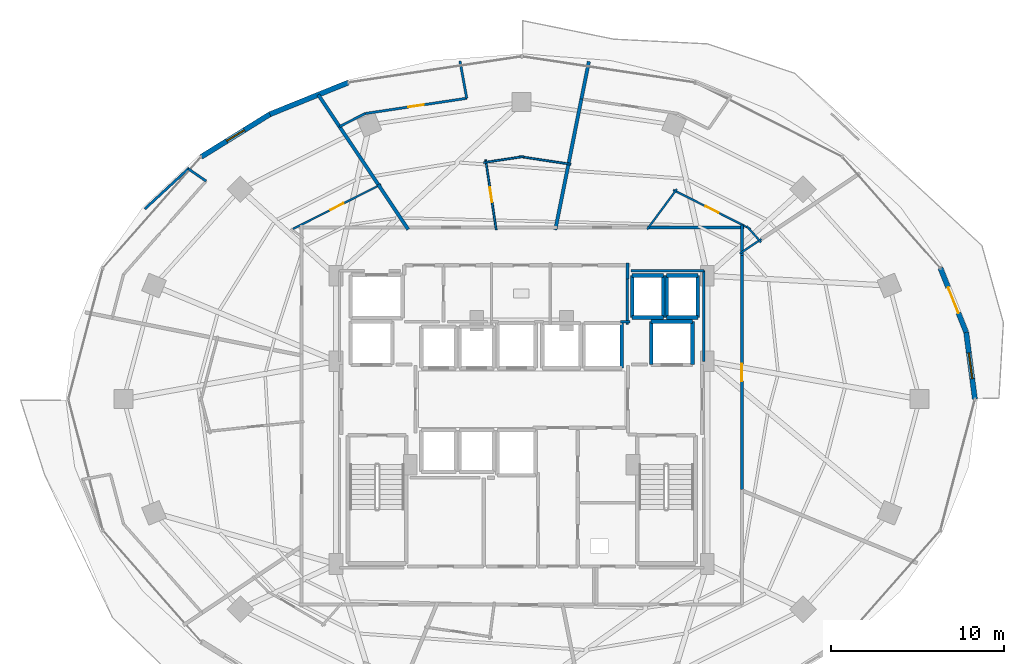
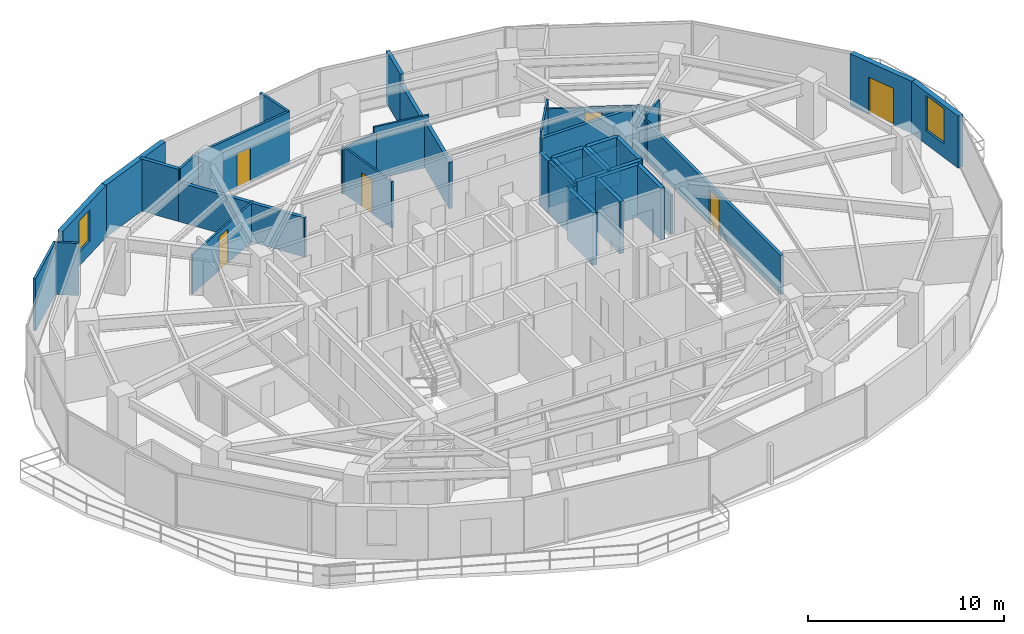
# One storey, part 26 of 30: 43 walls, 6 doors, 2 windows, 8 openings.
"""IFC4 building model written with IfcOpenShell, lengths in metres."""

import ifcopenshell
import ifcopenshell.guid

model = None  # the IFC model being written
_history = None  # IfcOwnerHistory: only IFC2X3 demands one
_inside = {}  # id of a spatial element -> (the spatial element, [elements in it])
_under = {}  # id of a project, library or spatial element -> (it, [spatial elements below it])
_declared = {}  # id of a project -> (the project, [libraries it declares])
_typed = {}  # id of a type object -> (the type object, [elements of that type])
_made_of = {}  # id of a material, layer set ... -> (it, [elements and type objects made of it])


def new_model(schema):
    """Start an empty IFC model of exactly this schema.

    Asked for "IFC4X3", IfcOpenShell would pick the latest addendum, in which some entities
    have other attributes; the version numbers below select the first issue.
    IFC2X3 requires an IfcOwnerHistory on every rooted entity: one is made here for all.
    """
    global model, _history
    if schema == "IFC4X3":
        model = ifcopenshell.file(schema_version=(4, 3, 0, 0))
    else:
        model = ifcopenshell.file(schema=schema)
    _inside.clear()
    _under.clear()
    _declared.clear()
    _typed.clear()
    _made_of.clear()
    _history = None
    if model.schema == "IFC2X3":
        org = make("IfcOrganization", Name="unknown")
        user = make(
            "IfcPersonAndOrganization",
            ThePerson=make("IfcPerson", FamilyName="unknown"),
            TheOrganization=org,
        )
        app = make(
            "IfcApplication",
            ApplicationDeveloper=org,
            Version="unknown",
            ApplicationFullName="unknown",
            ApplicationIdentifier="unknown",
        )
        _history = make(
            "IfcOwnerHistory",
            OwningUser=user,
            OwningApplication=app,
            ChangeAction="ADDED",
            CreationDate=0,
        )
    return model


def make(cls, **values):
    """One entity of the class cls with the attributes given. An attribute that is None is left unset."""
    return model.create_entity(
        cls, **{name: value for name, value in values.items() if value is not None}
    )


def rooted(cls, **values):
    """An entity with a GlobalId (a new one), such as an element, a storey or a relation."""
    return make(cls, GlobalId=ifcopenshell.guid.new(), OwnerHistory=_history, **values)


def si_unit(unit_type, name, prefix=None):
    """IfcSIUnit, for example si_unit("LENGTHUNIT", "METRE", prefix="MILLI")."""
    return make("IfcSIUnit", UnitType=unit_type, Prefix=prefix, Name=name)


def assignment(units):
    """IfcUnitAssignment: the units of a project."""
    return None if units is None else make("IfcUnitAssignment", Units=units)


def point(xyz):
    """IfcCartesianPoint."""
    return None if xyz is None else make("IfcCartesianPoint", Coordinates=xyz)


def direction(xyz):
    """IfcDirection."""
    return None if xyz is None else make("IfcDirection", DirectionRatios=xyz)


def frame(location, z_axis=None, x_axis=None):
    """IfcAxis2Placement3D, a coordinate frame: its origin and axes. An axis left out is left unset."""
    return make(
        "IfcAxis2Placement3D",
        Location=point(location),
        Axis=direction(z_axis),
        RefDirection=direction(x_axis),
    )


def frame_2d(location, x_axis=None):
    """IfcAxis2Placement2D, a coordinate frame in the plane: its origin and x axis."""
    return make(
        "IfcAxis2Placement2D", Location=point(location), RefDirection=direction(x_axis)
    )


def origin():
    """The frame at (0, 0, 0) with its axes left unset."""
    return frame((0.0, 0.0, 0.0))


def place(relative_to, where):
    """IfcLocalPlacement: puts the frame where relative to a parent placement (None: the world)."""
    return make(
        "IfcLocalPlacement", PlacementRelTo=relative_to, RelativePlacement=where
    )


def context(
    kind, dimensions, precision=None, world=None, true_north=None, identifier=None
):
    """IfcGeometricRepresentationContext, for example the 3D "Model" context."""
    return make(
        "IfcGeometricRepresentationContext",
        ContextIdentifier=identifier,
        ContextType=kind,
        CoordinateSpaceDimension=dimensions,
        Precision=precision,
        WorldCoordinateSystem=world,
        TrueNorth=true_north,
    )


def subcontext(parent, identifier, kind, view, scale=None):
    """IfcGeometricRepresentationSubContext, for example "Body" below "Model"."""
    return make(
        "IfcGeometricRepresentationSubContext",
        ContextIdentifier=identifier,
        ContextType=kind,
        ParentContext=parent,
        TargetScale=scale,
        TargetView=view,
    )


def project(units=None, contexts=None):
    """IfcProject with its units and contexts."""
    return rooted(
        "IfcProject",
        Name="project",
        RepresentationContexts=contexts,
        UnitsInContext=assignment(units),
    )


def spatial(cls, under=None, at=None, **own):
    """A site, building, storey or space (cls), placed at a placement, below another one or the project."""
    s = rooted(cls, ObjectPlacement=at, **own)
    if under is not None:
        _under.setdefault(under.id(), (under, []))[1].append(s)
    return s


def profile(cls, at=None, kind="AREA", **sizes):
    """A parametric profile (cls). Its sizes go by their IFC names, for example OverallWidth=200.0."""
    return make(cls, ProfileType=kind, Position=at, **sizes)


def rectangle(**sizes):
    """IfcRectangleProfileDef."""
    return profile("IfcRectangleProfileDef", **sizes)


def extrude(swept, where, along, depth):
    """IfcExtrudedAreaSolid: the profile swept, set in the frame where, extruded along a direction by depth."""
    return make(
        "IfcExtrudedAreaSolid",
        SweptArea=swept,
        Position=where,
        ExtrudedDirection=direction(along),
        Depth=depth,
    )


def shape(context_of_items, identifier, shape_type, items):
    """IfcShapeRepresentation: the items that make up one representation, for example the "Body"."""
    return make(
        "IfcShapeRepresentation",
        ContextOfItems=context_of_items,
        RepresentationIdentifier=identifier,
        RepresentationType=shape_type,
        Items=items,
    )


def material(Name=None, Category=None):
    """IfcMaterial."""
    return make("IfcMaterial", Name=Name, Category=Category)


def layer(
    of_material, thickness, ventilated=None, Name=None, Category=None, Priority=None
):
    """IfcMaterialLayer: one layer of a wall or slab, of a material (None: an air gap)."""
    return make(
        "IfcMaterialLayer",
        Material=of_material,
        LayerThickness=thickness,
        IsVentilated=ventilated,
        Name=Name,
        Category=Category,
        Priority=Priority,
    )


def layer_set(layers, Name=None):
    """IfcMaterialLayerSet."""
    return make("IfcMaterialLayerSet", MaterialLayers=layers, LayerSetName=Name)


def made_of(thing, what):
    """Note that an element or type object is made of a material, layer set ...; save() writes the relation."""
    if what is not None:
        _made_of.setdefault(what.id(), (what, []))[1].append(thing)
    return thing


def type_object(cls, material=None, **own):
    """A type object (cls), such as IfcWallType, which elements share."""
    return made_of(rooted(cls, **own), material)


def element(
    cls,
    number,
    at=None,
    inside=None,
    cuts=None,
    type_object=None,
    material=None,
    context=None,
    identifier="Body",
    shape_type=None,
    held_by="IfcProductDefinitionShape",
    body=None,
    shapes=None,
    **own,
):
    """One element of the class cls, such as IfcWall. Its Tag is "e" and its number.

    at: its placement. inside: the storey or other place that contains it. cuts: it is an
    opening in that element (IfcRelVoidsElement). A single representation is given by context,
    identifier, shape_type and body (its items); several are given by shapes. held_by: the class
    of the entity that holds the representations. save() writes the other relations.
    """
    e = rooted(cls, Tag="e%d" % number, ObjectPlacement=at, **own)
    if body is not None:
        shapes = [shape(context, identifier, shape_type, body)]
    if shapes is not None:
        e.Representation = make(held_by, Representations=shapes)
    if inside is not None:
        _inside.setdefault(inside.id(), (inside, []))[1].append(e)
    if cuts is not None:
        rooted(
            "IfcRelVoidsElement", RelatingBuildingElement=cuts, RelatedOpeningElement=e
        )
    if type_object is not None:
        _typed.setdefault(type_object.id(), (type_object, []))[1].append(e)
    return made_of(e, material)


def fill(opening, filler):
    """IfcRelFillsElement: the door or window that sits in an opening."""
    return rooted(
        "IfcRelFillsElement",
        RelatingOpeningElement=opening,
        RelatedBuildingElement=filler,
    )


def aggregate(whole, parts):
    """IfcRelAggregates: a whole, such as a stair, and the parts it consists of."""
    return rooted("IfcRelAggregates", RelatingObject=whole, RelatedObjects=parts)


def save(model, path):
    """Write the relations noted so far, then the file.

    IfcRelAggregates (storeys below a building ...), IfcRelContainedInSpatialStructure (elements
    in a storey), IfcRelDefinesByType, IfcRelAssociatesMaterial and IfcRelDeclares: one each for
    every whole, place, type object, material and project.
    """
    for whole, parts in _under.values():
        aggregate(whole, parts)
    for where, things in _inside.values():
        rooted(
            "IfcRelContainedInSpatialStructure",
            RelatedElements=things,
            RelatingStructure=where,
        )
    for kind, things in _typed.values():
        rooted("IfcRelDefinesByType", RelatedObjects=things, RelatingType=kind)
    for what, things in _made_of.values():
        rooted("IfcRelAssociatesMaterial", RelatedObjects=things, RelatingMaterial=what)
    for by, libraries in _declared.values():
        rooted("IfcRelDeclares", RelatingContext=by, RelatedDefinitions=libraries)
    model.write(path)


model = new_model("IFC4")

# Units and contexts
model_context = context("Model", 3, precision=1e-05, world=origin(), true_north=direction((0.0, 1.0)))
body_context = subcontext(model_context, "Body", "Model", "MODEL_VIEW")
ifc_project = project(units=[si_unit("LENGTHUNIT", "METRE"), si_unit("AREAUNIT", "SQUARE_METRE"), si_unit("VOLUMEUNIT", "CUBIC_METRE"), si_unit("PLANEANGLEUNIT", "RADIAN"), si_unit("MASSUNIT", "GRAM", prefix="KILO")], contexts=[model_context])

# Site, building, storey
site_placement = place(None, origin())
site = spatial("IfcSite", under=ifc_project, at=site_placement, CompositionType="ELEMENT")
building_placement = place(site_placement, origin())
building = spatial("IfcBuilding", under=site, at=building_placement, Name="Vorneva Point Tower", CompositionType="ELEMENT")
storey_placement = place(building_placement, frame((0.0, 0.0, 78.800048828125)))
storey = spatial("IfcBuildingStorey", under=building, at=storey_placement, Name="L20", CompositionType="ELEMENT", Elevation=78.800048828125)

# Walls
ifc_material_1 = material(Name="Concrete B60 (C50/60)", Category="concrete")
ifc_layer_1 = layer(ifc_material_1, 0.5)
ifc_layer_set_1 = layer_set([ifc_layer_1], Name="Concrete B60 (C50/60)")
wall_type_1 = type_object("IfcWallType", Name="WL-CORE-500", PredefinedType="SHEAR", material=ifc_layer_set_1)
wall_1_placement = place(storey_placement, frame((47.89990234375, 28.0, 0.0), z_axis=(0.0, 0.0, 1.0), x_axis=(0.0, 1.0, 0.0)))
element("IfcWall", 1, at=wall_1_placement, inside=storey, type_object=wall_type_1, Name="L20 Lift FFL2 Shaft Wall +X", PredefinedType="SHEAR", context=body_context, shape_type="SweptSolid", body=[
    extrude(rectangle(XDim=2.5, YDim=0.219970703125, at=frame_2d((1.25, 0.0))), origin(), (0.0, 0.0, 1.0), 3.239990234375),
])
wall_2_placement = place(storey_placement, frame((47.89990234375, 30.5, 0.0), z_axis=(0.0, 0.0, 1.0), x_axis=(-1.0, 0.0, 0.0)))
element("IfcWall", 2, at=wall_2_placement, inside=storey, type_object=wall_type_1, Name="L20 Lift FFL2 Shaft Wall +Y", PredefinedType="SHEAR", context=body_context, shape_type="SweptSolid", body=[
    extrude(rectangle(XDim=2.39990234375, YDim=0.219970703125, at=frame_2d((1.199951171875, 0.0))), origin(), (0.0, 0.0, 1.0), 3.239990234375),
])
wall_3_placement = place(storey_placement, frame((45.5, 30.5, 0.0), z_axis=(0.0, 0.0, 1.0), x_axis=(0.0, -1.0, 0.0)))
element("IfcWall", 3, at=wall_3_placement, inside=storey, type_object=wall_type_1, Name="L20 Lift FFL2 Shaft Wall -X", PredefinedType="SHEAR", context=body_context, shape_type="SweptSolid", body=[
    extrude(rectangle(XDim=2.5, YDim=0.219970703125, at=frame_2d((1.25, 0.0))), origin(), (0.0, 0.0, 1.0), 3.239990234375),
])

# Wall, opening, window
ifc_material_2 = material(Name="Precast concrete B50 (C40/50)", Category="concrete")
ifc_layer_2 = layer(ifc_material_2, 0.300048828125)
ifc_layer_set_2 = layer_set([ifc_layer_2], Name="Precast concrete B50 (C40/50)")
wall_type_2 = type_object("IfcWallType", Name="WL-EXT-300", PredefinedType="STANDARD", material=ifc_layer_set_2)
wall_4_placement = place(storey_placement, frame((64.25, 26.0, 0.0), z_axis=(0.0, 0.0, 1.0), x_axis=(-0.129157444793, 0.991624099372, 0.0)))
wall_4 = element("IfcWall", 4, at=wall_4_placement, inside=storey, type_object=wall_type_2, Name="L20 Pale-Metal Facade Spandrel Wall 01.1", PredefinedType="STANDARD", context=body_context, shape_type="SweptSolid", body=[
    extrude(rectangle(XDim=3.9052734375, YDim=0.300048828125, at=frame_2d((1.95263671875, 0.0))), origin(), (0.0, 0.0, 1.0), 3.239990234375),
])
opening_1_placement = place(wall_4_placement, frame((1.20263671875, 0.0, 0.85009765625)))
opening_1 = element("IfcOpeningElement", 5, at=opening_1_placement, cuts=wall_4, Name="Opening W-02", PredefinedType="OPENING", context=body_context, shape_type="SweptSolid", body=[
    extrude(rectangle(XDim=1.5, YDim=2.18994140625, at=frame_2d((0.75, 1.094970703125))), frame((0.0, 0.1650390625, 0.0), z_axis=(0.0, -1.0, 0.0), x_axis=(1.0, 0.0, 0.0)), (0.0, 0.0, 1.0), 0.329833984375),
])
ifc_material_3 = material(Name="Double low-e laminated glass IGU", Category="glass")
window_type_1 = type_object("IfcWindowType", Name="WN-HTL-1500", PartitioningType="SINGLE_PANEL", PredefinedType="WINDOW", material=ifc_material_3)
window_1_placement = place(opening_1_placement, origin())
window_1 = element("IfcWindow", 6, at=window_1_placement, inside=storey, type_object=window_type_1, Name="L20 Facade Window 01", OverallHeight=2.18994140625, OverallWidth=1.5, PartitioningType="SINGLE_PANEL", PredefinedType="WINDOW", context=body_context, shape_type="SweptSolid", body=[
    extrude(rectangle(XDim=1.5, YDim=2.18994140625, at=frame_2d((0.75, 1.094970703125))), frame((0.0, 0.030029296875, 0.0), z_axis=(0.0, -1.0, 0.0), x_axis=(1.0, 0.0, 0.0)), (0.0, 0.0, 1.0), 0.06005859375),
])
fill(opening_1, window_1)

# Wall, opening, door
wall_5_placement = place(storey_placement, frame((63.74560546875, 29.87255859375, 0.0), z_axis=(0.0, 0.0, 1.0), x_axis=(-0.372345205928, 0.92809430966, 0.0)))
wall_5 = element("IfcWall", 7, at=wall_5_placement, inside=storey, type_object=wall_type_2, Name="L20 Pale-Metal Facade Spandrel Wall 01.2", PredefinedType="STANDARD", context=body_context, shape_type="SweptSolid", body=[
    extrude(rectangle(XDim=4.01220703125, YDim=0.300048828125, at=frame_2d((2.006103515625, 0.0))), origin(), (0.0, 0.0, 1.0), 3.239990234375),
])
opening_2_placement = place(wall_5_placement, frame((1.2060546875, 0.0, 0.0)))
opening_2 = element("IfcOpeningElement", 8, at=opening_2_placement, cuts=wall_5, Name="Opening BD-01", PredefinedType="OPENING", context=body_context, shape_type="SweptSolid", body=[
    extrude(rectangle(XDim=1.60009765625, YDim=2.300048828125, at=frame_2d((0.800048828125, 1.14990234375))), frame((0.0, 0.1650390625, 0.0), z_axis=(0.0, -1.0, 0.0), x_axis=(1.0, 0.0, 0.0)), (0.0, 0.0, 1.0), 0.329833984375),
])
ifc_material_4 = material(Name="Pale anodised aluminium", Category="aluminium")
door_type_1 = type_object("IfcDoorType", Name="DR-BAL-1600", OperationType="SLIDING_TO_LEFT", PredefinedType="DOOR", material=ifc_material_4)
door_1_placement = place(opening_2_placement, origin())
door_1 = element("IfcDoor", 9, at=door_1_placement, inside=storey, type_object=door_type_1, Name="L20 Balcony Terrace Access Door 01", OperationType="SLIDING_TO_LEFT", OverallHeight=2.300048828125, OverallWidth=1.60009765625, PredefinedType="DOOR", context=body_context, shape_type="SweptSolid", body=[
    extrude(rectangle(XDim=1.60009765625, YDim=2.300048828125, at=frame_2d((0.800048828125, 1.14990234375))), frame((0.0, 0.02490234375, 0.0), z_axis=(0.0, -1.0, 0.0), x_axis=(1.0, 0.0, 0.0)), (0.0, 0.0, 1.0), 0.050048828125),
])
fill(opening_2, door_1)

# Wall
wall_6_placement = place(storey_placement, frame((27.95458984375, 44.339111328125, 0.0), z_axis=(0.0, 0.0, 1.0), x_axis=(-0.927122233109, -0.374759075775, 0.0)))
element("IfcWall", 10, at=wall_6_placement, inside=storey, type_object=wall_type_2, Name="L20 Pale-Metal Facade Spandrel Wall 06.1", PredefinedType="STANDARD", context=body_context, shape_type="SweptSolid", body=[
    extrude(rectangle(XDim=4.89501953125, YDim=0.300048828125, at=frame_2d((2.447509765625, 0.0))), origin(), (0.0, 0.0, 1.0), 3.239990234375),
])

# Wall, opening, window
wall_7_placement = place(storey_placement, frame((23.416259765625, 42.504638671875, 0.0), z_axis=(0.0, 0.0, 1.0), x_axis=(-0.849684479743, -0.527291461038, 0.0)))
wall_7 = element("IfcWall", 11, at=wall_7_placement, inside=storey, type_object=wall_type_2, Name="L20 Pale-Metal Facade Spandrel Wall 06.2", PredefinedType="STANDARD", context=body_context, shape_type="SweptSolid", body=[
    extrude(rectangle(XDim=4.681396484375, YDim=0.300048828125, at=frame_2d((2.3408203125, 0.0))), origin(), (0.0, 0.0, 1.0), 3.239990234375),
])
opening_3_placement = place(wall_7_placement, frame((1.74072265625, 0.0, 0.85009765625)))
opening_3 = element("IfcOpeningElement", 12, at=opening_3_placement, cuts=wall_7, Name="Opening W-04", PredefinedType="OPENING", context=body_context, shape_type="SweptSolid", body=[
    extrude(rectangle(XDim=1.199951171875, YDim=1.949951171875, at=frame_2d((0.60009765625, 0.97509765625))), frame((0.0, 0.1650390625, 0.0), z_axis=(0.0, -1.0, 0.0), x_axis=(1.0, 0.0, 0.0)), (0.0, 0.0, 1.0), 0.329833984375),
])
window_type_2 = type_object("IfcWindowType", Name="WN-RES-1200", PartitioningType="SINGLE_PANEL", PredefinedType="WINDOW", material=ifc_material_3)
window_2_placement = place(opening_3_placement, origin())
window_2 = element("IfcWindow", 13, at=window_2_placement, inside=storey, type_object=window_type_2, Name="L20 Dwelling Vision Window 01", OverallHeight=1.949951171875, OverallWidth=1.199951171875, PartitioningType="SINGLE_PANEL", PredefinedType="WINDOW", context=body_context, shape_type="SweptSolid", body=[
    extrude(rectangle(XDim=1.199951171875, YDim=1.949951171875, at=frame_2d((0.60009765625, 0.97509765625))), frame((0.0, 0.030029296875, 0.0), z_axis=(0.0, -1.0, 0.0), x_axis=(1.0, 0.0, 0.0)), (0.0, 0.0, 1.0), 0.06005859375),
])
fill(opening_3, window_2)

# Wall
ifc_material_5 = material(Name="Fire-rated acoustic gypsum stud partition", Category="gypsum")
ifc_layer_3 = layer(ifc_material_5, 0.110107421875)
ifc_layer_set_3 = layer_set([ifc_layer_3], Name="Fire-rated acoustic gypsum stud partition")
wall_type_3 = type_object("IfcWallType", Name="WL-PART-110", PredefinedType="PARTITIONING", material=ifc_layer_set_3)
wall_8_placement = place(storey_placement, frame((45.265869140625, 35.83740234375, 0.0), z_axis=(0.0, 0.0, 1.0), x_axis=(0.594069015324, 0.804414075605, 0.0)))
element("IfcWall", 14, at=wall_8_placement, inside=storey, type_object=wall_type_3, Name="L20 Interior Partition 047", PredefinedType="PARTITIONING", context=body_context, shape_type="SweptSolid", body=[
    extrude(rectangle(XDim=2.8994140625, YDim=0.110107421875, at=frame_2d((1.44970703125, 0.0))), origin(), (0.0, 0.0, 1.0), 2.921875),
])

# Wall, opening, door
wall_9_placement = place(storey_placement, frame((46.780029296875, 38.1201171875, 0.0), z_axis=(0.0, 0.0, 1.0), x_axis=(0.892517538434, -0.451012686726, 0.0)))
wall_9 = element("IfcWall", 15, at=wall_9_placement, inside=storey, type_object=wall_type_3, Name="L20 Interior Partition 048", PredefinedType="PARTITIONING", context=body_context, shape_type="SweptSolid", body=[
    extrude(rectangle(XDim=5.007080078125, YDim=0.110107421875, at=frame_2d((2.50341796875, 0.0))), origin(), (0.0, 0.0, 1.0), 2.431884765625),
])
opening_4_placement = place(wall_9_placement, frame((2.07861328125, 0.0, 0.0)))
opening_4 = element("IfcOpeningElement", 16, at=opening_4_placement, cuts=wall_9, Name="Opening ID-02", PredefinedType="OPENING", context=body_context, shape_type="SweptSolid", body=[
    extrude(rectangle(XDim=0.85009765625, YDim=2.10009765625, at=frame_2d((0.425048828125, 1.050048828125))), frame((0.0, 0.06982421875, 0.0), z_axis=(0.0, -1.0, 0.0), x_axis=(1.0, 0.0, 0.0)), (0.0, 0.0, 1.0), 0.139892578125),
])
ifc_material_6 = material(Name="Engineered oak fire-rated door leaf", Category="wood")
door_type_2 = type_object("IfcDoorType", Name="DR-BATH-850", OperationType="NOTDEFINED", PredefinedType="DOOR", material=ifc_material_6)
door_2_placement = place(opening_4_placement, origin())
door_2 = element("IfcDoor", 17, at=door_2_placement, inside=storey, type_object=door_type_2, Name="L20 Door Corner Suite L20-01 / En-Suite Bathroom L20-01", OperationType="SINGLE_SWING_LEFT", OverallHeight=2.10009765625, OverallWidth=0.85009765625, PredefinedType="DOOR", context=body_context, shape_type="SweptSolid", body=[
    extrude(rectangle(XDim=0.85009765625, YDim=2.10009765625, at=frame_2d((0.425048828125, 1.050048828125))), frame((0.0, 0.02490234375, 0.0), z_axis=(0.0, -1.0, 0.0), x_axis=(1.0, 0.0, 0.0)), (0.0, 0.0, 1.0), 0.050048828125),
])
fill(opening_4, door_2)

# Walls
wall_10_placement = place(storey_placement, frame((51.03125, 36.02978515625, 0.0), z_axis=(0.0, 0.0, 1.0), x_axis=(0.661996266618, -0.749507133377, 0.0)))
element("IfcWall", 18, at=wall_10_placement, inside=storey, type_object=wall_type_3, Name="L20 Interior Partition 049", PredefinedType="PARTITIONING", context=body_context, shape_type="SweptSolid", body=[
    extrude(rectangle(XDim=1.249755859375, YDim=0.110107421875, at=frame_2d((0.625, 0.0))), origin(), (0.0, 0.0, 1.0), 2.431884765625),
])
wall_11_placement = place(storey_placement, frame((51.88232421875, 35.27587890625, 0.0), z_axis=(0.0, 0.0, 1.0), x_axis=(-0.831374526136, -0.555712513169, 0.0)))
element("IfcWall", 19, at=wall_11_placement, inside=storey, type_object=wall_type_3, Name="L20 Interior Partition 050", PredefinedType="PARTITIONING", context=body_context, shape_type="SweptSolid", body=[
    extrude(rectangle(XDim=1.501953125, YDim=0.110107421875, at=frame_2d((0.7509765625, 0.0))), origin(), (0.0, 0.0, 1.0), 2.921875),
])

# Wall, opening, door
wall_12_placement = place(storey_placement, frame((36.52490234375, 35.8115234375, 0.0), z_axis=(0.0, 0.0, 1.0), x_axis=(-0.148739497936, 0.988876413792, 0.0)))
wall_12 = element("IfcWall", 20, at=wall_12_placement, inside=storey, type_object=wall_type_3, Name="L20 Interior Partition 059", PredefinedType="PARTITIONING", context=body_context, shape_type="SweptSolid", body=[
    extrude(rectangle(XDim=4.0986328125, YDim=0.110107421875, at=frame_2d((2.04931640625, 0.0))), origin(), (0.0, 0.0, 1.0), 2.8740234375),
])
opening_5_placement = place(wall_12_placement, frame((1.624267578125, 0.0, 0.0)))
opening_5 = element("IfcOpeningElement", 21, at=opening_5_placement, cuts=wall_12, Name="Opening ID-02", PredefinedType="OPENING", context=body_context, shape_type="SweptSolid", body=[
    extrude(rectangle(XDim=0.85009765625, YDim=2.10009765625, at=frame_2d((0.425048828125, 1.050048828125))), frame((0.0, 0.06982421875, 0.0), z_axis=(0.0, -1.0, 0.0), x_axis=(1.0, 0.0, 0.0)), (0.0, 0.0, 1.0), 0.139892578125),
])
door_3_placement = place(opening_5_placement, origin())
door_3 = element("IfcDoor", 22, at=door_3_placement, inside=storey, type_object=door_type_2, Name="L20 Door Junior Suite L20-02 / En-Suite Bathroom L20-02", OperationType="SINGLE_SWING_LEFT", OverallHeight=2.10009765625, OverallWidth=0.85009765625, PredefinedType="DOOR", context=body_context, shape_type="SweptSolid", body=[
    extrude(rectangle(XDim=0.85009765625, YDim=2.10009765625, at=frame_2d((0.425048828125, 1.050048828125))), frame((0.0, 0.02490234375, 0.0), z_axis=(0.0, -1.0, 0.0), x_axis=(1.0, 0.0, 0.0)), (0.0, 0.0, 1.0), 0.050048828125),
])
fill(opening_5, door_3)

# Walls
wall_13_placement = place(storey_placement, frame((35.797607421875, 39.705078125, 0.0), z_axis=(0.0, 0.0, 1.0), x_axis=(0.988893947493, 0.148622880511, 0.0)))
element("IfcWall", 23, at=wall_13_placement, inside=storey, type_object=wall_type_3, Name="L20 Interior Partition 060", PredefinedType="PARTITIONING", context=body_context, shape_type="SweptSolid", body=[
    extrude(rectangle(XDim=2.3671875, YDim=0.110107421875, at=frame_2d((1.18359375, 0.0))), origin(), (0.0, 0.0, 1.0), 2.8740234375),
])
wall_14_placement = place(storey_placement, frame((37.861572265625, 40.056884765625, 0.0), z_axis=(0.0, 0.0, 1.0), x_axis=(0.988861549405, -0.148838288446, 0.0)))
element("IfcWall", 24, at=wall_14_placement, inside=storey, type_object=wall_type_3, Name="L20 Interior Partition 061", PredefinedType="PARTITIONING", context=body_context, shape_type="SweptSolid", body=[
    extrude(rectangle(XDim=3.021484375, YDim=0.110107421875, at=frame_2d((1.5107421875, 0.0))), origin(), (0.0, 0.0, 1.0), 3.239990234375),
])

# Wall, opening, door
wall_15_placement = place(storey_placement, frame((24.7509765625, 35.86181640625, 0.0), z_axis=(0.0, 0.0, 1.0), x_axis=(0.892506436774, 0.451034655339, 0.0)))
wall_15 = element("IfcWall", 25, at=wall_15_placement, inside=storey, type_object=wall_type_3, Name="L20 Interior Partition 069", PredefinedType="PARTITIONING", context=body_context, shape_type="SweptSolid", body=[
    extrude(rectangle(XDim=5.71875, YDim=0.110107421875, at=frame_2d((2.859375, 0.0))), origin(), (0.0, 0.0, 1.0), 2.431884765625),
])
opening_6_placement = place(wall_15_placement, frame((2.434326171875, 0.0, 0.0)))
opening_6 = element("IfcOpeningElement", 26, at=opening_6_placement, cuts=wall_15, Name="Opening ID-02", PredefinedType="OPENING", context=body_context, shape_type="SweptSolid", body=[
    extrude(rectangle(XDim=0.85009765625, YDim=2.10009765625, at=frame_2d((0.425048828125, 1.050048828125))), frame((0.0, 0.06982421875, 0.0), z_axis=(0.0, -1.0, 0.0), x_axis=(1.0, 0.0, 0.0)), (0.0, 0.0, 1.0), 0.139892578125),
])
door_4_placement = place(opening_6_placement, origin())
door_4 = element("IfcDoor", 27, at=door_4_placement, inside=storey, type_object=door_type_2, Name="L20 Door Executive Suite L20-03 / En-Suite Bathroom L20-03", OperationType="SINGLE_SWING_LEFT", OverallHeight=2.10009765625, OverallWidth=0.85009765625, PredefinedType="DOOR", context=body_context, shape_type="SweptSolid", body=[
    extrude(rectangle(XDim=0.85009765625, YDim=2.10009765625, at=frame_2d((0.425048828125, 1.050048828125))), frame((0.0, 0.02490234375, 0.0), z_axis=(0.0, -1.0, 0.0), x_axis=(1.0, 0.0, 0.0)), (0.0, 0.0, 1.0), 0.050048828125),
])
fill(opening_6, door_4)

# Wall
ifc_layer_4 = layer(ifc_material_5, 0.139892578125)
ifc_layer_set_4 = layer_set([ifc_layer_4], Name="Fire-rated acoustic gypsum stud partition")
wall_type_4 = type_object("IfcWallType", Name="WL-PART-140", PredefinedType="PARTITIONING", material=ifc_layer_set_4)
wall_16_placement = place(storey_placement, frame((34.424072265625, 45.5830078125, 0.0), z_axis=(0.0, 0.0, 1.0), x_axis=(0.179405454878, -0.983775219631, 0.0)))
element("IfcWall", 28, at=wall_16_placement, inside=storey, type_object=wall_type_4, Name="L20 Interior Partition 062", PredefinedType="PARTITIONING", context=body_context, shape_type="SweptSolid", body=[
    extrude(rectangle(XDim=2.189697265625, YDim=0.139892578125, at=frame_2d((1.0947265625, 0.0))), origin(), (0.0, 0.0, 1.0), 3.239990234375),
])

# Wall, opening, door
wall_17_placement = place(storey_placement, frame((34.81689453125, 43.428955078125, 0.0), z_axis=(0.0, 0.0, 1.0), x_axis=(-0.988882066939, -0.14870190882, 0.0)))
wall_17 = element("IfcWall", 29, at=wall_17_placement, inside=storey, type_object=wall_type_4, Name="L20 Interior Partition 063", PredefinedType="PARTITIONING", context=body_context, shape_type="SweptSolid", body=[
    extrude(rectangle(XDim=5.945068359375, YDim=0.139892578125, at=frame_2d((2.97265625, 0.0))), origin(), (0.0, 0.0, 1.0), 3.239990234375),
])
opening_7_placement = place(wall_17_placement, frame((2.5224609375, 0.0, 0.0)))
opening_7 = element("IfcOpeningElement", 30, at=opening_7_placement, cuts=wall_17, Name="Opening ID-01", PredefinedType="OPENING", context=body_context, shape_type="SweptSolid", body=[
    extrude(rectangle(XDim=0.89990234375, YDim=2.10009765625, at=frame_2d((0.449951171875, 1.050048828125))), frame((0.0, 0.0849609375, 0.0), z_axis=(0.0, -1.0, 0.0), x_axis=(1.0, 0.0, 0.0)), (0.0, 0.0, 1.0), 0.169677734375),
])
door_type_3 = type_object("IfcDoorType", Name="DR-ROOM-900", OperationType="NOTDEFINED", PredefinedType="DOOR", material=ifc_material_6)
door_5_placement = place(opening_7_placement, origin())
door_5 = element("IfcDoor", 31, at=door_5_placement, inside=storey, type_object=door_type_3, Name="L20 Door Junior Suite L20-02 / Suite Sitting Study L20-02", OperationType="SINGLE_SWING_RIGHT", OverallHeight=2.10009765625, OverallWidth=0.89990234375, PredefinedType="DOOR", context=body_context, shape_type="SweptSolid", body=[
    extrude(rectangle(XDim=0.89990234375, YDim=2.10009765625, at=frame_2d((0.449951171875, 1.050048828125))), frame((0.0, 0.02490234375, 0.0), z_axis=(0.0, -1.0, 0.0), x_axis=(1.0, 0.0, 0.0)), (0.0, 0.0, 1.0), 0.050048828125),
])
fill(opening_7, door_5)

# Walls
wall_18_placement = place(storey_placement, frame((28.93798828125, 42.544921875, 0.0), z_axis=(0.0, 0.0, 1.0), x_axis=(-0.892517956507, -0.451011859392, 0.0)))
element("IfcWall", 32, at=wall_18_placement, inside=storey, type_object=wall_type_4, Name="L20 Interior Partition 064", PredefinedType="PARTITIONING", context=body_context, shape_type="SweptSolid", body=[
    extrude(rectangle(XDim=1.66943359375, YDim=0.139892578125, at=frame_2d((0.834716796875, 0.0))), origin(), (0.0, 0.0, 1.0), 3.239990234375),
])
wall_19_placement = place(storey_placement, frame((18.736083984375, 39.386962890625, 0.0), z_axis=(0.0, 0.0, 1.0), x_axis=(-0.734814136931, -0.678268519221, 0.0)))
element("IfcWall", 33, at=wall_19_placement, inside=storey, type_object=wall_type_4, Name="L20 Interior Partition 070", PredefinedType="PARTITIONING", context=body_context, shape_type="SweptSolid", body=[
    extrude(rectangle(XDim=3.50146484375, YDim=0.139892578125, at=frame_2d((1.750732421875, 0.0))), origin(), (0.0, 0.0, 1.0), 3.239990234375),
])
wall_20_placement = place(storey_placement, frame((18.69091796875, 39.344970703125, 0.0), z_axis=(0.0, 0.0, 1.0), x_axis=(0.822746935214, -0.568407847057, 0.0)))
element("IfcWall", 34, at=wall_20_placement, inside=storey, type_object=wall_type_4, Name="L20 Interior Partition 071", PredefinedType="PARTITIONING", context=body_context, shape_type="SweptSolid", body=[
    extrude(rectangle(XDim=1.250732421875, YDim=0.139892578125, at=frame_2d((0.62548828125, 0.0))), origin(), (0.0, 0.0, 1.0), 3.239990234375),
])
wall_21_placement = place(storey_placement, frame((43.735107421875, 30.47998046875, 0.0), z_axis=(0.0, 0.0, 1.0), x_axis=(1.0, 0.0, 0.0)))
element("IfcWall", 35, at=wall_21_placement, inside=storey, type_object=wall_type_4, Name="L20 Interior Closure Partition 100", PredefinedType="PARTITIONING", context=body_context, shape_type="SweptSolid", body=[
    extrude(rectangle(XDim=0.52490234375, YDim=0.139892578125, at=frame_2d((0.262451171875, 0.0))), origin(), (0.0, 0.0, 1.0), 3.239990234375),
])
wall_22_placement = place(storey_placement, frame((44.1201171875, 30.340087890625, 0.0), z_axis=(0.0, 0.0, 1.0), x_axis=(0.0, 1.0, 0.0)))
element("IfcWall", 36, at=wall_22_placement, inside=storey, type_object=wall_type_4, Name="L20 Interior Closure Partition 101", PredefinedType="PARTITIONING", context=body_context, shape_type="SweptSolid", body=[
    extrude(rectangle(XDim=2.659912109375, YDim=0.139892578125, at=frame_2d((1.330078125, 0.0))), origin(), (0.0, 0.0, 1.0), 3.239990234375),
])
wall_23_placement = place(storey_placement, frame((44.340087890625, 33.449951171875, 0.0), z_axis=(0.0, 0.0, 1.0), x_axis=(1.0, 0.0, 0.0)))
element("IfcWall", 37, at=wall_23_placement, inside=storey, type_object=wall_type_4, Name="L20 Interior Closure Partition 104", PredefinedType="PARTITIONING", context=body_context, shape_type="SweptSolid", body=[
    extrude(rectangle(XDim=4.2099609375, YDim=0.139892578125, at=frame_2d((2.10498046875, 0.0))), origin(), (0.0, 0.0, 1.0), 2.431884765625),
])
wall_24_placement = place(storey_placement, frame((48.550048828125, 33.449951171875, 0.0), z_axis=(0.0, 0.0, 1.0), x_axis=(0.0, -1.0, 0.0)))
element("IfcWall", 38, at=wall_24_placement, inside=storey, type_object=wall_type_4, Name="L20 Interior Closure Partition 105", PredefinedType="PARTITIONING", context=body_context, shape_type="SweptSolid", body=[
    extrude(rectangle(XDim=5.25390625, YDim=0.139892578125, at=frame_2d((2.626953125, 0.0))), origin(), (0.0, 0.0, 1.0), 2.431884765625),
])
ifc_material_7 = material(Name="Autoclaved aerated concrete blockwork", Category="masonry")
ifc_layer_5 = layer(ifc_material_7, 0.179931640625)
ifc_layer_set_5 = layer_set([ifc_layer_5], Name="Autoclaved aerated concrete blockwork")
wall_type_5 = type_object("IfcWallType", Name="WL-PART-180", PredefinedType="PARTITIONING", material=ifc_layer_set_5)
wall_25_placement = place(storey_placement, frame((44.1201171875, 32.969970703125, 0.0), z_axis=(0.0, 0.0, 1.0), x_axis=(0.0, 1.0, 0.0)))
element("IfcWall", 39, at=wall_25_placement, inside=storey, type_object=wall_type_5, Name="L20 Interior Partition 022", PredefinedType="PARTITIONING", context=body_context, shape_type="SweptSolid", body=[
    extrude(rectangle(XDim=0.929931640625, YDim=0.179931640625, at=frame_2d((0.46484375, 0.0))), origin(), (0.0, 0.0, 1.0), 3.239990234375),
])
wall_26_placement = place(storey_placement, frame((50.75, 34.319091796875, 0.0), z_axis=(0.0, 0.0, 1.0), x_axis=(0.0, 1.0, 0.0)))
element("IfcWall", 40, at=wall_26_placement, inside=storey, type_object=wall_type_5, Name="L20 Interior Partition 027", PredefinedType="PARTITIONING", context=body_context, shape_type="SweptSolid", body=[
    extrude(rectangle(XDim=1.77099609375, YDim=0.179931640625, at=frame_2d((0.885498046875, 0.0))), origin(), (0.0, 0.0, 1.0), 2.431884765625),
])
wall_27_placement = place(storey_placement, frame((50.889892578125, 35.949951171875, 0.0), z_axis=(0.0, 0.0, 1.0), x_axis=(-1.0, 0.0, 0.0)))
element("IfcWall", 41, at=wall_27_placement, inside=storey, type_object=wall_type_5, Name="L20 Interior Partition 028", PredefinedType="PARTITIONING", context=body_context, shape_type="SweptSolid", body=[
    extrude(rectangle(XDim=5.60595703125, YDim=0.179931640625, at=frame_2d((2.802978515625, 0.0))), origin(), (0.0, 0.0, 1.0), 2.431884765625),
])

# Wall, opening, door
wall_28_placement = place(storey_placement, frame((50.75, 20.779052734375, 0.0), z_axis=(0.0, 0.0, 1.0), x_axis=(0.0, 1.0, 0.0)))
wall_28 = element("IfcWall", 42, at=wall_28_placement, inside=storey, type_object=wall_type_5, Name="L20 Interior Partition 046", PredefinedType="PARTITIONING", context=body_context, shape_type="SweptSolid", body=[
    extrude(rectangle(XDim=13.5400390625, YDim=0.179931640625, at=frame_2d((6.77001953125, 0.0))), origin(), (0.0, 0.0, 1.0), 2.431884765625),
])
opening_8_placement = place(wall_28_placement, frame((6.27001953125, 0.0, 0.0)))
opening_8 = element("IfcOpeningElement", 43, at=opening_8_placement, cuts=wall_28, Name="Opening UD-01", PredefinedType="OPENING", context=body_context, shape_type="SweptSolid", body=[
    extrude(rectangle(XDim=1.0, YDim=2.14990234375, at=frame_2d((0.5, 1.074951171875))), frame((0.0, 0.10498046875, 0.0), z_axis=(0.0, -1.0, 0.0), x_axis=(1.0, 0.0, 0.0)), (0.0, 0.0, 1.0), 0.209716796875),
])
door_type_4 = type_object("IfcDoorType", Name="DR-UNIT-1000", OperationType="NOTDEFINED", PredefinedType="DOOR", material=ifc_material_6)
door_6_placement = place(opening_8_placement, origin())
door_6 = element("IfcDoor", 44, at=door_6_placement, inside=storey, type_object=door_type_4, Name="L20 Door L20 Circulation Corridor / Hotel Club Lounge L20-08", OperationType="SINGLE_SWING_RIGHT", OverallHeight=2.14990234375, OverallWidth=1.0, PredefinedType="DOOR", context=body_context, shape_type="SweptSolid", body=[
    extrude(rectangle(XDim=1.0, YDim=2.14990234375, at=frame_2d((0.5, 1.074951171875))), frame((0.0, 0.02490234375, 0.0), z_axis=(0.0, -1.0, 0.0), x_axis=(1.0, 0.0, 0.0)), (0.0, 0.0, 1.0), 0.050048828125),
])
fill(opening_8, door_6)

# Walls
ifc_layer_6 = layer(ifc_material_7, 0.199951171875)
ifc_layer_set_6 = layer_set([ifc_layer_6], Name="Autoclaved aerated concrete blockwork")
wall_type_6 = type_object("IfcWallType", Name="WL-PART-200", PredefinedType="PARTITIONING", material=ifc_layer_set_6)
wall_29_placement = place(storey_placement, frame((41.458984375, 43.387939453125, 0.0), z_axis=(0.0, 0.0, 1.0), x_axis=(-0.195187593062, -0.980765926975, 0.0)))
element("IfcWall", 45, at=wall_29_placement, inside=storey, type_object=wall_type_6, Name="L20 Interior Partition 055", PredefinedType="PARTITIONING", context=body_context, shape_type="SweptSolid", body=[
    extrude(rectangle(XDim=3.893798828125, YDim=0.199951171875, at=frame_2d((1.94677734375, 0.0))), origin(), (0.0, 0.0, 1.0), 2.677001953125),
])
wall_30_placement = place(storey_placement, frame((40.726806640625, 39.706298828125, 0.0), z_axis=(0.0, 0.0, 1.0), x_axis=(-0.195252736913, -0.980752960091, 0.0)))
element("IfcWall", 46, at=wall_30_placement, inside=storey, type_object=wall_type_6, Name="L20 Interior Partition 056", PredefinedType="PARTITIONING", context=body_context, shape_type="SweptSolid", body=[
    extrude(rectangle(XDim=3.969970703125, YDim=0.199951171875, at=frame_2d((1.98486328125, 0.0))), origin(), (0.0, 0.0, 1.0), 2.8740234375),
])
wall_31_placement = place(storey_placement, frame((41.89111328125, 45.55908203125, 0.0), z_axis=(0.0, 0.0, 1.0), x_axis=(-0.195204079936, -0.980762645688, 0.0)))
element("IfcWall", 47, at=wall_31_placement, inside=storey, type_object=wall_type_6, Name="L20 Interior Partition 058", PredefinedType="PARTITIONING", context=body_context, shape_type="SweptSolid", body=[
    extrude(rectangle(XDim=2.213623046875, YDim=0.199951171875, at=frame_2d((1.10693359375, 0.0))), origin(), (0.0, 0.0, 1.0), 3.239990234375),
])
wall_32_placement = place(storey_placement, frame((27.447998046875, 41.7919921875, 0.0), z_axis=(0.0, 0.0, 1.0), x_axis=(0.555619383998, -0.831436768567, 0.0)))
element("IfcWall", 48, at=wall_32_placement, inside=storey, type_object=wall_type_6, Name="L20 Interior Partition 065", PredefinedType="PARTITIONING", context=body_context, shape_type="SweptSolid", body=[
    extrude(rectangle(XDim=4.16650390625, YDim=0.199951171875, at=frame_2d((2.083251953125, 0.0))), origin(), (0.0, 0.0, 1.0), 2.431884765625),
])
wall_33_placement = place(storey_placement, frame((29.68505859375, 38.4443359375, 0.0), z_axis=(0.0, 0.0, 1.0), x_axis=(0.555596981897, -0.831451738652, 0.0)))
element("IfcWall", 49, at=wall_33_placement, inside=storey, type_object=wall_type_6, Name="L20 Interior Partition 066", PredefinedType="PARTITIONING", context=body_context, shape_type="SweptSolid", body=[
    extrude(rectangle(XDim=3.14013671875, YDim=0.199951171875, at=frame_2d((1.570068359375, 0.0))), origin(), (0.0, 0.0, 1.0), 2.431884765625),
])
wall_34_placement = place(storey_placement, frame((26.217041015625, 43.635009765625, 0.0), z_axis=(0.0, 0.0, 1.0), x_axis=(0.555411777185, -0.831575467269, 0.0)))
element("IfcWall", 50, at=wall_34_placement, inside=storey, type_object=wall_type_6, Name="L20 Interior Partition 067", PredefinedType="PARTITIONING", context=body_context, shape_type="SweptSolid", body=[
    extrude(rectangle(XDim=2.21630859375, YDim=0.199951171875, at=frame_2d((1.108154296875, 0.0))), origin(), (0.0, 0.0, 1.0), 3.239990234375),
])
ifc_material_8 = material(Name="Concrete B50 (C40/50)", Category="concrete")
ifc_layer_7 = layer(ifc_material_8, 0.219970703125)
ifc_layer_set_7 = layer_set([ifc_layer_7], Name="Concrete B50 (C40/50)")
wall_type_7 = type_object("IfcWallType", Name="WL-SHFT-220", PredefinedType="SOLIDWALL", material=ifc_layer_set_7)
wall_35_placement = place(storey_placement, frame((43.800048828125, 27.800048828125, 0.0), z_axis=(0.0, 0.0, 1.0), x_axis=(0.0, 1.0, 0.0)))
element("IfcWall", 51, at=wall_35_placement, inside=storey, type_object=wall_type_7, Name="L20 Lift PL8 Shaft Wall +X", PredefinedType="SOLIDWALL", context=body_context, shape_type="SweptSolid", body=[
    extrude(rectangle(XDim=2.599853515625, YDim=0.219970703125, at=frame_2d((1.2998046875, 0.0))), origin(), (0.0, 0.0, 1.0), 3.239990234375),
])
wall_36_placement = place(storey_placement, frame((44.39990234375, 30.739990234375, 0.0), z_axis=(0.0, 0.0, 1.0), x_axis=(1.0, 0.0, 0.0)))
element("IfcWall", 52, at=wall_36_placement, inside=storey, type_object=wall_type_7, Name="L20 Lift EX1 Shaft Wall -Y", PredefinedType="SOLIDWALL", context=body_context, shape_type="SweptSolid", body=[
    extrude(rectangle(XDim=1.800048828125, YDim=0.219970703125, at=frame_2d((0.89990234375, 0.0))), origin(), (0.0, 0.0, 1.0), 3.239990234375),
])
wall_37_placement = place(storey_placement, frame((46.199951171875, 30.739990234375, 0.0), z_axis=(0.0, 0.0, 1.0), x_axis=(0.0, 1.0, 0.0)))
element("IfcWall", 53, at=wall_37_placement, inside=storey, type_object=wall_type_7, Name="L20 Lift EX1 Shaft Wall +X", PredefinedType="SOLIDWALL", context=body_context, shape_type="SweptSolid", body=[
    extrude(rectangle(XDim=2.419921875, YDim=0.219970703125, at=frame_2d((1.2099609375, 0.0))), origin(), (0.0, 0.0, 1.0), 3.239990234375),
])
wall_38_placement = place(storey_placement, frame((46.199951171875, 33.159912109375, 0.0), z_axis=(0.0, 0.0, 1.0), x_axis=(-1.0, 0.0, 0.0)))
element("IfcWall", 54, at=wall_38_placement, inside=storey, type_object=wall_type_7, Name="L20 Lift EX1 Shaft Wall +Y", PredefinedType="SOLIDWALL", context=body_context, shape_type="SweptSolid", body=[
    extrude(rectangle(XDim=1.800048828125, YDim=0.219970703125, at=frame_2d((0.89990234375, 0.0))), origin(), (0.0, 0.0, 1.0), 3.239990234375),
])
wall_39_placement = place(storey_placement, frame((44.39990234375, 33.159912109375, 0.0), z_axis=(0.0, 0.0, 1.0), x_axis=(0.0, -1.0, 0.0)))
element("IfcWall", 55, at=wall_39_placement, inside=storey, type_object=wall_type_7, Name="L20 Lift EX1 Shaft Wall -X", PredefinedType="SOLIDWALL", context=body_context, shape_type="SweptSolid", body=[
    extrude(rectangle(XDim=2.419921875, YDim=0.219970703125, at=frame_2d((1.2099609375, 0.0))), origin(), (0.0, 0.0, 1.0), 3.239990234375),
])
wall_40_placement = place(storey_placement, frame((46.39990234375, 30.739990234375, 0.0), z_axis=(0.0, 0.0, 1.0), x_axis=(1.0, 0.0, 0.0)))
element("IfcWall", 56, at=wall_40_placement, inside=storey, type_object=wall_type_7, Name="L20 Lift EX2 Shaft Wall -Y", PredefinedType="SOLIDWALL", context=body_context, shape_type="SweptSolid", body=[
    extrude(rectangle(XDim=1.800048828125, YDim=0.219970703125, at=frame_2d((0.89990234375, 0.0))), origin(), (0.0, 0.0, 1.0), 3.239990234375),
])
wall_41_placement = place(storey_placement, frame((48.199951171875, 30.739990234375, 0.0), z_axis=(0.0, 0.0, 1.0), x_axis=(0.0, 1.0, 0.0)))
element("IfcWall", 57, at=wall_41_placement, inside=storey, type_object=wall_type_7, Name="L20 Lift EX2 Shaft Wall +X", PredefinedType="SOLIDWALL", context=body_context, shape_type="SweptSolid", body=[
    extrude(rectangle(XDim=2.419921875, YDim=0.219970703125, at=frame_2d((1.2099609375, 0.0))), origin(), (0.0, 0.0, 1.0), 3.239990234375),
])
wall_42_placement = place(storey_placement, frame((48.199951171875, 33.159912109375, 0.0), z_axis=(0.0, 0.0, 1.0), x_axis=(-1.0, 0.0, 0.0)))
element("IfcWall", 58, at=wall_42_placement, inside=storey, type_object=wall_type_7, Name="L20 Lift EX2 Shaft Wall +Y", PredefinedType="SOLIDWALL", context=body_context, shape_type="SweptSolid", body=[
    extrude(rectangle(XDim=1.800048828125, YDim=0.219970703125, at=frame_2d((0.89990234375, 0.0))), origin(), (0.0, 0.0, 1.0), 3.239990234375),
])
wall_43_placement = place(storey_placement, frame((46.39990234375, 33.159912109375, 0.0), z_axis=(0.0, 0.0, 1.0), x_axis=(0.0, -1.0, 0.0)))
element("IfcWall", 59, at=wall_43_placement, inside=storey, type_object=wall_type_7, Name="L20 Lift EX2 Shaft Wall -X", PredefinedType="SOLIDWALL", context=body_context, shape_type="SweptSolid", body=[
    extrude(rectangle(XDim=2.419921875, YDim=0.219970703125, at=frame_2d((1.2099609375, 0.0))), origin(), (0.0, 0.0, 1.0), 3.239990234375),
])

save(model, "model.ifc")
